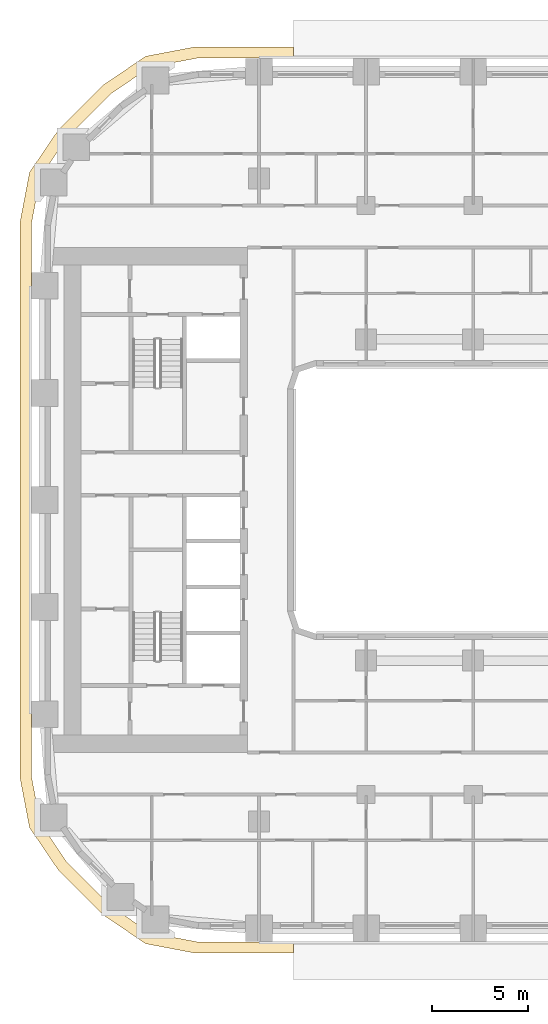
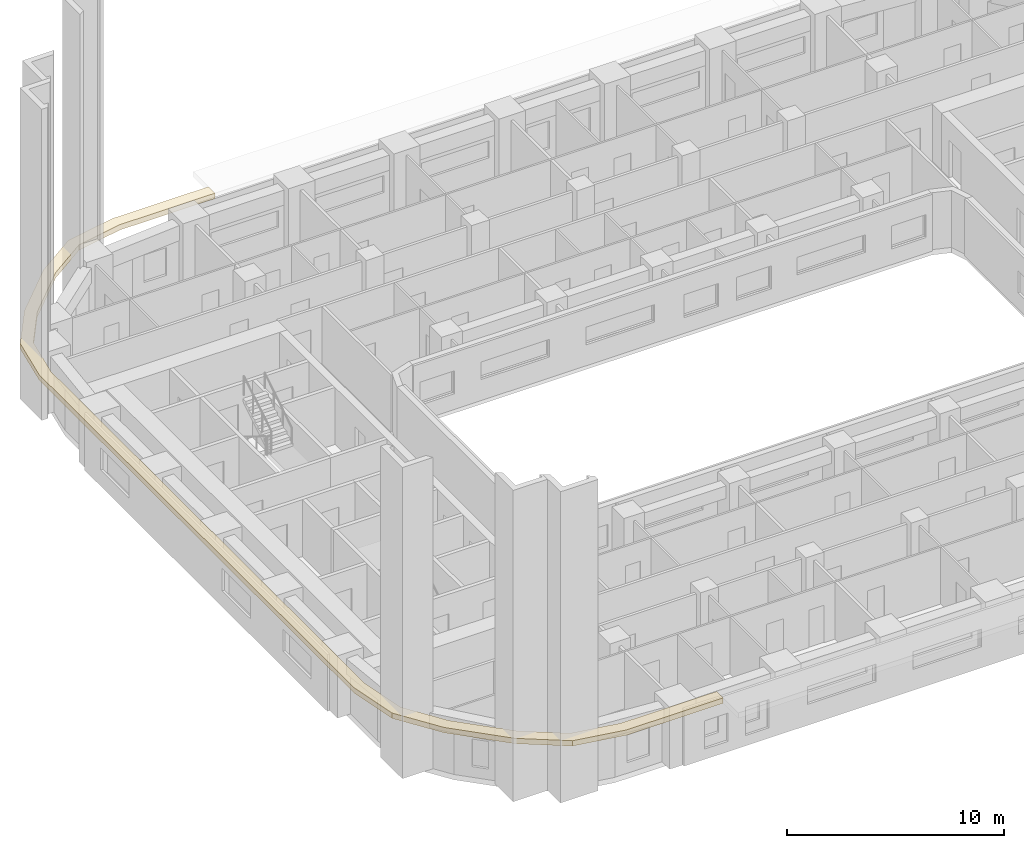
# One storey, part 14 of 22: 1 covering.
"""IFC4 building model written with IfcOpenShell, lengths in metres."""

from ifc_helpers import new_model, si_unit, direction, frame, origin, place, context, subcontext, project, spatial, polyline, outline, extrude, material, layer, layer_set, type_object, element, save


model = new_model("IFC4")

# Units and contexts
model_context = context("Model", 3, precision=1e-05, world=origin(), true_north=direction((0.0, 1.0)))
body_context = subcontext(model_context, "Body", "Model", "MODEL_VIEW")
ifc_project = project(units=[si_unit("LENGTHUNIT", "METRE"), si_unit("AREAUNIT", "SQUARE_METRE"), si_unit("VOLUMEUNIT", "CUBIC_METRE"), si_unit("PLANEANGLEUNIT", "RADIAN"), si_unit("MASSUNIT", "GRAM", prefix="KILO")], contexts=[model_context])

# Site, building, storey
site_placement = place(None, origin())
site = spatial("IfcSite", under=ifc_project, at=site_placement, CompositionType="ELEMENT")
building_placement = place(site_placement, origin())
building = spatial("IfcBuilding", under=site, at=building_placement, Name="Kiln Ring Residences", CompositionType="ELEMENT")
storey_placement = place(building_placement, frame((0.0, 0.0, 55.0)))
storey = spatial("IfcBuildingStorey", under=building, at=storey_placement, Name="L13", CompositionType="ELEMENT", Elevation=55.0)

# Covering
ifc_material = material(Name="Black powder-coated steel", Category="steel")
ifc_layer = layer(ifc_material, 0.300048828125)
ifc_layer_set = layer_set([ifc_layer], Name="SUNSHADE FIN 600")
covering_type = type_object("IfcCoveringType", Name="SUNSHADE FIN 600", PredefinedType="CLADDING", material=ifc_layer_set)
covering_placement = place(storey_placement, frame((0.0, 0.0, 3.199951171875)))
element("IfcCovering", 1, at=covering_placement, inside=storey, type_object=covering_type, Name="SUNSHADE FIN L13", PredefinedType="CLADDING", context=body_context, shape_type="SweptSolid", body=[
    extrude(outline(polyline([(-29.300048828125, -14.52294921875), (-28.80224609375, -17.13232421875), (-27.30908203125, -19.329345703125), (-24.929443359375, -21.708984375), (-22.732421875, -23.202392578125), (-20.122802734375, -23.699951171875), (-15.0, -23.699951171875), (-15.0, -23.10009765625), (-20.066162109375, -23.10009765625), (-22.497802734375, -22.63623046875), (-24.545166015625, -21.24462890625), (-26.8447265625, -18.9453125), (-28.236083984375, -16.897705078125), (-28.699951171875, -14.46630859375), (-28.699951171875, 14.46630859375), (-28.236083984375, 16.897705078125), (-26.8447265625, 18.9453125), (-24.545166015625, 21.24462890625), (-22.497802734375, 22.63623046875), (-20.066162109375, 23.10009765625), (-15.0, 23.10009765625), (-15.0, 23.699951171875), (-20.122802734375, 23.699951171875), (-22.732421875, 23.202392578125), (-24.929443359375, 21.708984375), (-27.30908203125, 19.329345703125), (-28.80224609375, 17.13232421875), (-29.300048828125, 14.52294921875), (-29.300048828125, -14.52294921875)])), origin(), (0.0, 0.0, 1.0), 0.300048828125),
])

save(model, "model.ifc")
